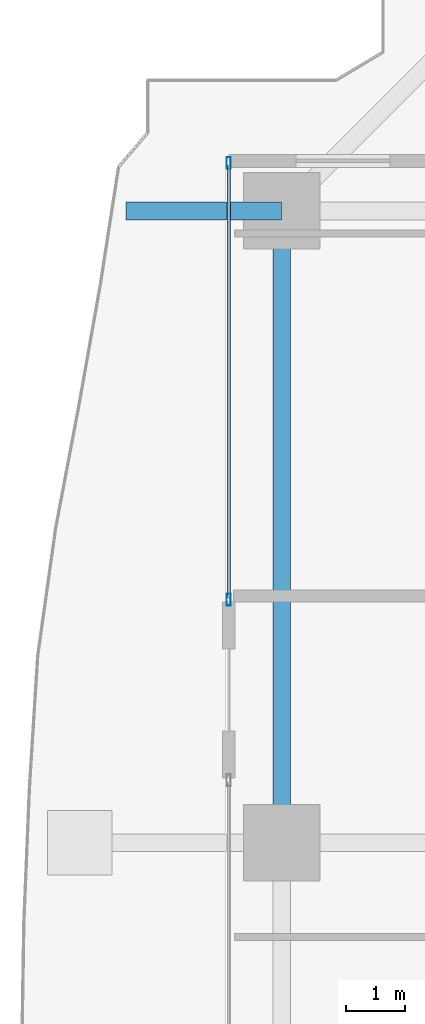
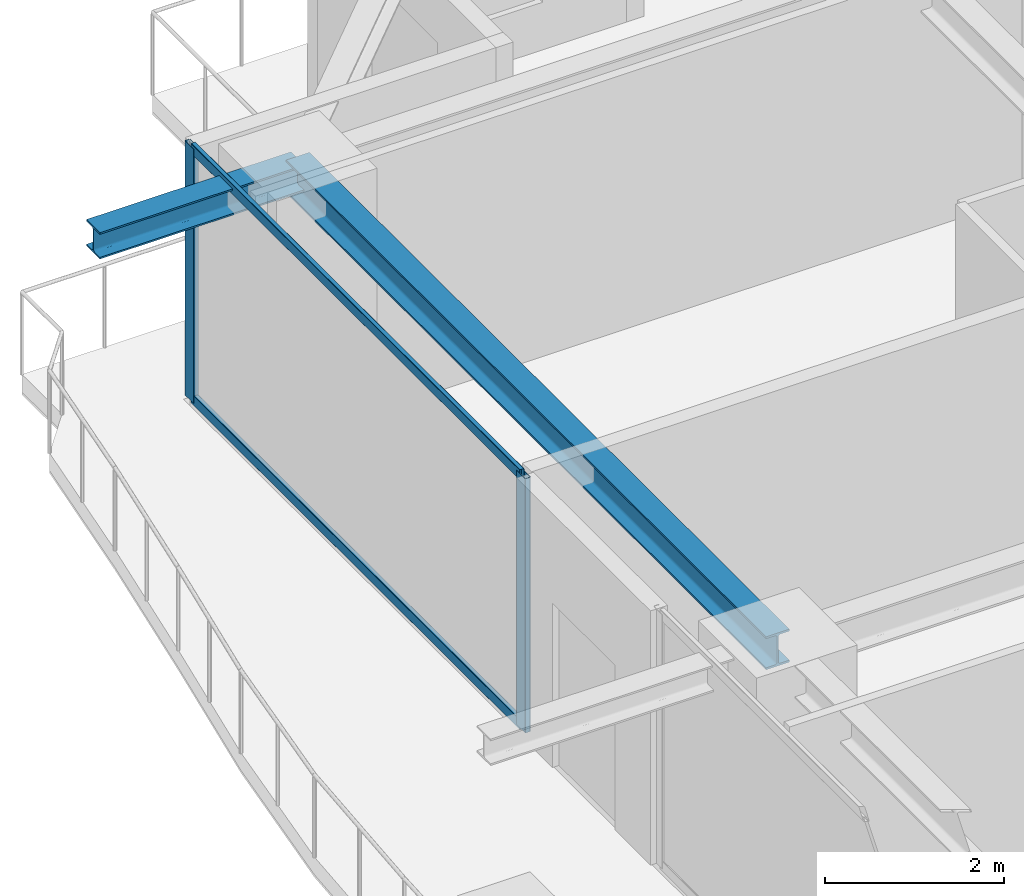
# One storey, part 16 of 39: 4 members, 2 beams, 1 element without a shape of its own.
"""IFC4 building model written with IfcOpenShell, lengths in metres."""

from ifc_helpers import new_model, si_unit, direction, frame, origin, origin_2d, place, context, subcontext, project, spatial, hollow_rectangle, i_section, extrude, source, transform, mapped, material, layer, layer_set, material_profile, profile_set, type_object, element, aggregate, save


model = new_model("IFC4")

# Units and contexts
model_context = context("Model", 3, precision=1e-05, world=origin(), true_north=direction((0.0, 1.0)))
body_context = subcontext(model_context, "Body", "Model", "MODEL_VIEW")
ifc_project = project(units=[si_unit("LENGTHUNIT", "METRE"), si_unit("AREAUNIT", "SQUARE_METRE"), si_unit("VOLUMEUNIT", "CUBIC_METRE"), si_unit("PLANEANGLEUNIT", "RADIAN"), si_unit("MASSUNIT", "GRAM", prefix="KILO")], contexts=[model_context])

# Site, building, storey
site_placement = place(None, origin())
site = spatial("IfcSite", under=ifc_project, at=site_placement, CompositionType="ELEMENT")
building_placement = place(site_placement, origin())
building = spatial("IfcBuilding", under=site, at=building_placement, Name="Serunith Strait Residences", CompositionType="ELEMENT")
storey_placement = place(building_placement, frame((0.0, 0.0, 123.89990234375)))
storey = spatial("IfcBuildingStorey", under=building, at=storey_placement, Name="L30", CompositionType="ELEMENT", Elevation=123.89990234375)

# Beams
ifc_material_1 = material(Name="Steel S355J2", Category="steel")
ifc_material_profile_1 = material_profile(ifc_material_1, i_section(OverallWidth=0.300048828125, OverallDepth=0.449951171875, WebThickness=0.013916015625, FlangeThickness=0.02587890625, FilletRadius=0.027099609375, at=origin_2d()), Name="HEB 450")
ifc_profile_set_1 = profile_set([ifc_material_profile_1], Name="Steel S355J2")
beam_type_1 = type_object("IfcBeamType", Name="BM-HEB450", PredefinedType="BEAM", material=ifc_profile_set_1)
shared_shape_1 = source(origin(), body_context, "Body", "SweptSolid", [
    extrude(i_section(OverallWidth=0.300048828125, OverallDepth=0.449951171875, WebThickness=0.013916015625, FlangeThickness=0.02587890625, FilletRadius=0.027099609375, at=origin_2d()), origin(), (0.0, 0.0, 1.0), 10.75),
])
beam_1_placement = place(storey_placement, frame((8.699951171875, 40.14990234375, 3.26220703125), z_axis=(0.0, -1.0, 0.0), x_axis=(1.0, 0.0, 0.0)))
element("IfcBeam", 1, at=beam_1_placement, inside=storey, type_object=beam_type_1, Name="L30 Perimeter Ring Beam 13", PredefinedType="BEAM", context=body_context, shape_type="MappedRepresentation", body=[
    mapped(shared_shape_1, transform((0.0, 0.0, 0.0), scale=1.0)),
])
ifc_material_profile_2 = material_profile(ifc_material_1, i_section(OverallWidth=0.300048828125, OverallDepth=0.360107421875, WebThickness=0.012451171875, FlangeThickness=0.0224609375, FilletRadius=0.027099609375, at=origin_2d()), Name="HEB 360")
ifc_profile_set_2 = profile_set([ifc_material_profile_2], Name="Steel S355J2")
beam_type_2 = type_object("IfcBeamType", Name="BM-HEB360", PredefinedType="BEAM", material=ifc_profile_set_2)
shared_shape_2 = source(origin(), body_context, "Body", "SweptSolid", [
    extrude(i_section(OverallWidth=0.300048828125, OverallDepth=0.360107421875, WebThickness=0.012451171875, FlangeThickness=0.0224609375, FilletRadius=0.027099609375, at=origin_2d()), origin(), (0.0, 0.0, 1.0), 2.645263671875),
])
beam_2_placement = place(storey_placement, frame((8.699951171875, 40.14990234375, 3.277099609375), z_axis=(-1.0, 0.0, 0.0), x_axis=(0.0, -1.0, 0.0)))
element("IfcBeam", 2, at=beam_2_placement, inside=storey, type_object=beam_type_2, Name="L31 Cantilevered Balcony Rib TC-W4", PredefinedType="BEAM", context=body_context, shape_type="MappedRepresentation", body=[
    mapped(shared_shape_2, transform((0.0, 0.0, 0.0), scale=1.0)),
])

# Curtain wall, members
ifc_material_2 = material(Name="Pale-Champagne Anodised Aluminium", Category="aluminium")
ifc_layer = layer(ifc_material_2, 0.199951171875, Name="Pale-Champagne Anodised Aluminium")
ifc_layer_set = layer_set([ifc_layer], Name="Pale-Champagne Anodised Aluminium")
curtain_wall_type = type_object("IfcCurtainWallType", Name="CW-SYS2", PredefinedType="NOTDEFINED", material=ifc_layer_set)
curtain_wall_placement = place(storey_placement, origin())
curtain_wall = element("IfcCurtainWall", 3, at=curtain_wall_placement, inside=storey, type_object=curtain_wall_type, Name="L30 W Unitised Fritted Curtain Wall", PredefinedType="NOTDEFINED")
ifc_material_profile_3 = material_profile(ifc_material_2, hollow_rectangle(XDim=0.070068359375, YDim=0.199951171875, WallThickness=0.00390625, InnerFilletRadius=0.006103515625, OuterFilletRadius=0.010009765625, at=origin_2d()), Name="ALU 200x70x4")
ifc_profile_set_3 = profile_set([ifc_material_profile_3], Name="Pale-Champagne Anodised Aluminium")
member_type_1 = type_object("IfcMemberType", Name="CW-SYS2-MULL", PredefinedType="MULLION", material=ifc_profile_set_3)
shared_shape_3 = source(origin(), body_context, "Body", "SweptSolid", [
    extrude(hollow_rectangle(XDim=0.070068359375, YDim=0.199951171875, WallThickness=0.00390625, InnerFilletRadius=0.006103515625, OuterFilletRadius=0.010009765625, at=origin_2d()), origin(), (0.0, 0.0, 1.0), 3.47509765625),
])
member_1_placement = place(storey_placement, frame((7.800048828125, 40.965087890625, 0.0), z_axis=(0.0, 0.0, 1.0), x_axis=(1.0, 0.0, 0.0)))
member_1 = element("IfcMember", 4, at=member_1_placement, type_object=member_type_1, Name="CW-2 mullion 1", PredefinedType="MULLION", context=body_context, shape_type="MappedRepresentation", body=[
    mapped(shared_shape_3, transform((0.0, 0.0, 0.0), scale=1.0)),
])
member_2_placement = place(storey_placement, frame((7.800048828125, 33.534912109375, 0.0), z_axis=(0.0, 0.0, 1.0), x_axis=(1.0, 0.0, 0.0)))
member_2 = element("IfcMember", 5, at=member_2_placement, type_object=member_type_1, Name="CW-2 mullion 2", PredefinedType="MULLION", context=body_context, shape_type="MappedRepresentation", body=[
    mapped(shared_shape_3, transform((0.0, 0.0, 0.0), scale=1.0)),
])
ifc_material_profile_4 = material_profile(ifc_material_2, hollow_rectangle(XDim=0.06005859375, YDim=0.139892578125, WallThickness=0.00341796875, InnerFilletRadius=0.00537109375, OuterFilletRadius=0.0087890625, at=origin_2d()), Name="ALU 140x60x3.5")
ifc_profile_set_4 = profile_set([ifc_material_profile_4], Name="Pale-Champagne Anodised Aluminium")
member_type_2 = type_object("IfcMemberType", Name="CW-SYS2-TRAN", PredefinedType="USERDEFINED", material=ifc_profile_set_4)
shared_shape_4 = source(origin(), body_context, "Body", "SweptSolid", [
    extrude(hollow_rectangle(XDim=0.06005859375, YDim=0.139892578125, WallThickness=0.00341796875, InnerFilletRadius=0.00537109375, OuterFilletRadius=0.0087890625, at=origin_2d()), origin(), (0.0, 0.0, 1.0), 7.35986328125),
])
member_3_placement = place(storey_placement, frame((7.800048828125, 40.929931640625, 0.030029296875), z_axis=(0.0, -1.0, 0.0), x_axis=(1.0, 0.0, 0.0)))
member_3 = element("IfcMember", 6, at=member_3_placement, type_object=member_type_2, Name="CW-2 transom 1.1", ObjectType="TRANSOM", PredefinedType="USERDEFINED", context=body_context, shape_type="MappedRepresentation", body=[
    mapped(shared_shape_4, transform((0.0, 0.0, 0.0), scale=1.0)),
])
member_4_placement = place(storey_placement, frame((7.800048828125, 40.929931640625, 3.445068359375), z_axis=(0.0, -1.0, 0.0), x_axis=(1.0, 0.0, 0.0)))
member_4 = element("IfcMember", 7, at=member_4_placement, type_object=member_type_2, Name="CW-2 transom 1.2", ObjectType="TRANSOM", PredefinedType="USERDEFINED", context=body_context, shape_type="MappedRepresentation", body=[
    mapped(shared_shape_4, transform((0.0, 0.0, 0.0), scale=1.0)),
])
aggregate(curtain_wall, [member_1, member_2, member_3, member_4])

save(model, "model.ifc")
